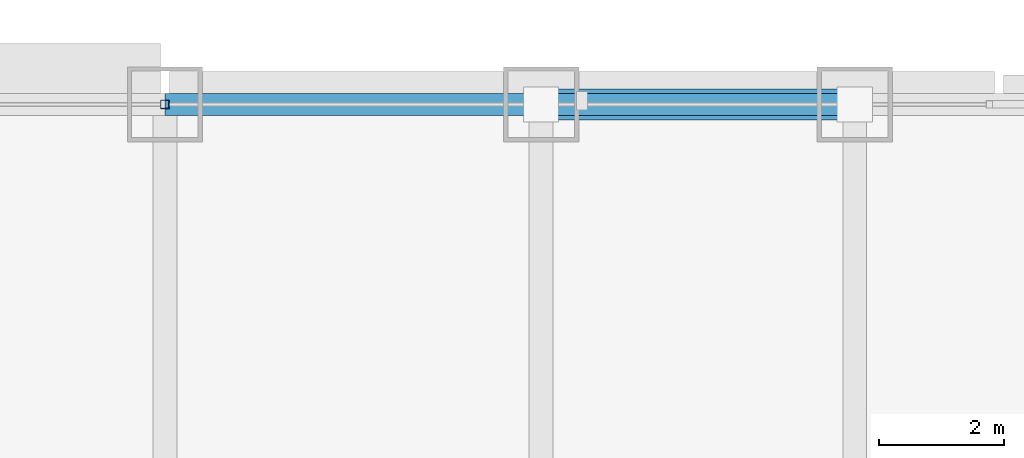
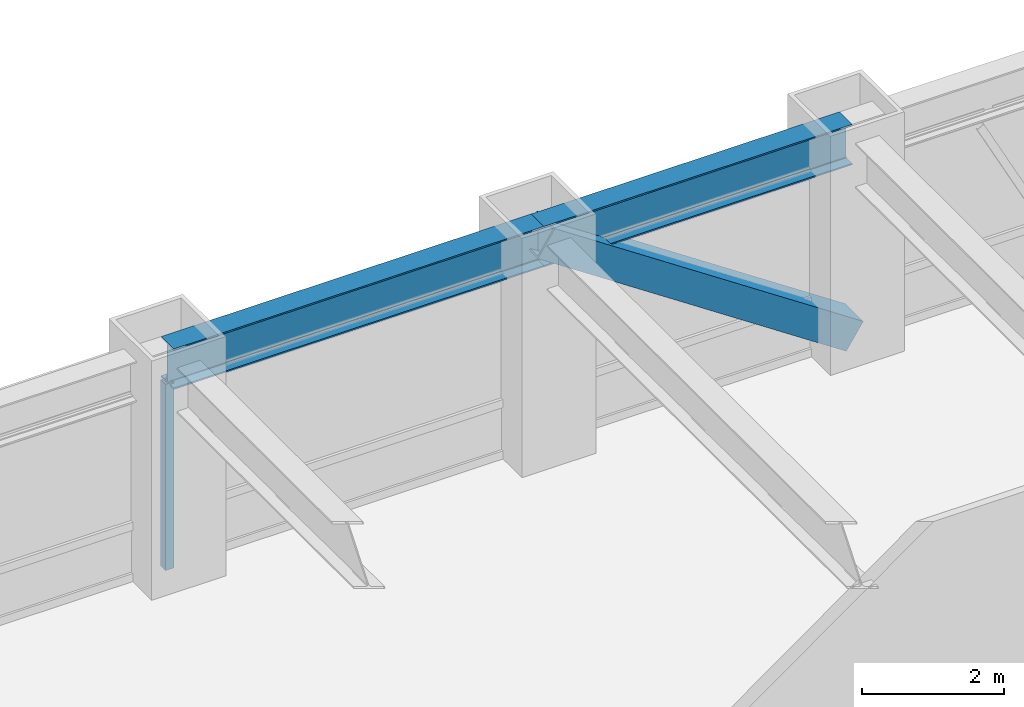
# One storey, part 19 of 32: 2 beams, 2 members, 1 element without a shape of its own.
"""IFC4 building model written with IfcOpenShell, lengths in metres."""

from ifc_helpers import new_model, si_unit, direction, frame, origin, origin_2d, place, context, subcontext, project, spatial, hollow_rectangle, i_section, extrude, source, transform, mapped, material, material_profile, profile_set, type_object, element, aggregate, save


model = new_model("IFC4")

# Units and contexts
model_context = context("Model", 3, precision=1e-05, world=origin(), true_north=direction((0.0, 1.0)))
body_context = subcontext(model_context, "Body", "Model", "MODEL_VIEW")
ifc_project = project(units=[si_unit("LENGTHUNIT", "METRE"), si_unit("AREAUNIT", "SQUARE_METRE"), si_unit("VOLUMEUNIT", "CUBIC_METRE"), si_unit("PLANEANGLEUNIT", "RADIAN"), si_unit("MASSUNIT", "GRAM", prefix="KILO")], contexts=[model_context])

# Site, building, storey
site_placement = place(None, origin())
site = spatial("IfcSite", under=ifc_project, at=site_placement, CompositionType="ELEMENT")
building_placement = place(site_placement, origin())
building = spatial("IfcBuilding", under=site, at=building_placement, Name="Khorayat Bourse Tower", CompositionType="ELEMENT")
storey_placement = place(building_placement, frame((0.0, 0.0, 99.60009765625)))
storey = spatial("IfcBuildingStorey", under=building, at=storey_placement, Name="L22", CompositionType="ELEMENT", Elevation=99.60009765625)

# Beams
ifc_material_1 = material(Name="Steel ASTM A992 Grade 50", Category="steel")
ifc_material_profile_1 = material_profile(ifc_material_1, i_section(OverallWidth=0.35498046875, OverallDepth=0.695068359375, WebThickness=0.015380859375, FlangeThickness=0.02490234375, FilletRadius=0.01806640625, at=origin_2d()), Name="W690X217")
ifc_profile_set_1 = profile_set([ifc_material_profile_1], Name="Steel ASTM A992 Grade 50")
beam_type = type_object("IfcBeamType", Name="BM-SPAN-690", PredefinedType="SPANDREL", material=ifc_profile_set_1)
shared_shape_1 = source(origin(), body_context, "Body", "SweptSolid", [
    extrude(i_section(OverallWidth=0.35498046875, OverallDepth=0.695068359375, WebThickness=0.015380859375, FlangeThickness=0.02490234375, FilletRadius=0.01806640625, at=origin_2d()), origin(), (0.0, 0.0, 1.0), 5.0),
])
beam_1_placement = place(storey_placement, frame((6.0, 32.0, 3.492431640625), z_axis=(1.0, 0.0, 0.0), x_axis=(0.0, 1.0, 0.0)))
element("IfcBeam", 1, at=beam_1_placement, inside=storey, type_object=beam_type, Name="L22 BM-SPAN-690 BM-L22-SPN-046", PredefinedType="SPANDREL", context=body_context, shape_type="MappedRepresentation", body=[
    mapped(shared_shape_1, transform((0.0, 0.0, 0.0), scale=1.0)),
])
shared_shape_2 = source(origin(), body_context, "Body", "SweptSolid", [
    extrude(i_section(OverallWidth=0.35498046875, OverallDepth=0.695068359375, WebThickness=0.015380859375, FlangeThickness=0.02490234375, FilletRadius=0.01806640625, at=origin_2d()), origin(), (0.0, 0.0, 1.0), 6.0),
])
beam_2_placement = place(storey_placement, frame((0.0, 32.0, 3.492431640625), z_axis=(1.0, 0.0, 0.0), x_axis=(0.0, 1.0, 0.0)))
element("IfcBeam", 2, at=beam_2_placement, inside=storey, type_object=beam_type, Name="L22 BM-SPAN-690 BM-L22-SPN-047", PredefinedType="SPANDREL", context=body_context, shape_type="MappedRepresentation", body=[
    mapped(shared_shape_2, transform((0.0, 0.0, 0.0), scale=1.0)),
])

# Member
ifc_material_2 = material(Name="Steel EN 10025-4 S460M", Category="steel")
ifc_material_profile_2 = material_profile(ifc_material_2, hollow_rectangle(XDim=0.5, YDim=0.5, WallThickness=0.028076171875, at=origin_2d()), Name="HSS 500x500x28")
ifc_profile_set_2 = profile_set([ifc_material_profile_2], Name="Steel EN 10025-4 S460M")
member_type_1 = type_object("IfcMemberType", Name="MBR-TUBE-500", PredefinedType="BRACE", material=ifc_profile_set_2)
shared_shape_3 = source(origin(), body_context, "Body", "SweptSolid", [
    extrude(hollow_rectangle(XDim=0.5, YDim=0.5, WallThickness=0.028076171875, at=origin_2d()), origin(), (0.0, 0.0, 1.0), 6.012939453125),
])
member_1_placement = place(storey_placement, frame((6.0, 32.0, 3.58984375), z_axis=(0.831550226979, 0.0, -0.555449565677), x_axis=(0.0, 1.0, 0.0)))
element("IfcMember", 3, at=member_1_placement, inside=storey, type_object=member_type_1, Name="L22 Perimeter Tube Brace 04", PredefinedType="BRACE", context=body_context, shape_type="MappedRepresentation", body=[
    mapped(shared_shape_3, transform((0.0, 0.0, 0.0), scale=1.0)),
])

# Curtain wall, member
ifc_material_3 = material(Name="Aluminium EN AW-6063 T6", Category="aluminium")
curtain_wall_type = type_object("IfcCurtainWallType", Name="CW-SYS-02", PredefinedType="NOTDEFINED", material=ifc_material_3)
curtain_wall_placement = place(storey_placement, origin())
curtain_wall = element("IfcCurtainWall", 4, at=curtain_wall_placement, inside=storey, type_object=curtain_wall_type, Name="L22 Curtain Wall CW-L22-N1", PredefinedType="NOTDEFINED")
ifc_material_profile_3 = material_profile(ifc_material_3, hollow_rectangle(XDim=0.139892578125, YDim=0.139892578125, WallThickness=0.006103515625, at=origin_2d()), Name="ALU 140x140x6")
ifc_profile_set_3 = profile_set([ifc_material_profile_3], Name="Aluminium EN AW-6063 T6")
member_type_2 = type_object("IfcMemberType", Name="CWM-VERT-140", PredefinedType="MULLION", material=ifc_profile_set_3)
shared_shape_4 = source(origin(), body_context, "Body", "SweptSolid", [
    extrude(hollow_rectangle(XDim=0.139892578125, YDim=0.139892578125, WallThickness=0.006103515625, at=origin_2d()), origin(), (0.0, 0.0, 1.0), 3.18994140625),
])
member_2_placement = place(storey_placement, frame((0.0, 32.0, 0.0), z_axis=(0.0, 0.0, 1.0), x_axis=(0.0, 1.0, 0.0)))
member_2 = element("IfcMember", 5, at=member_2_placement, type_object=member_type_2, Name="CW-L22-N1 Vertical Mullion 2", PredefinedType="MULLION", context=body_context, shape_type="MappedRepresentation", body=[
    mapped(shared_shape_4, transform((0.0, 0.0, 0.0), scale=1.0)),
])
aggregate(curtain_wall, [member_2])

save(model, "model.ifc")
